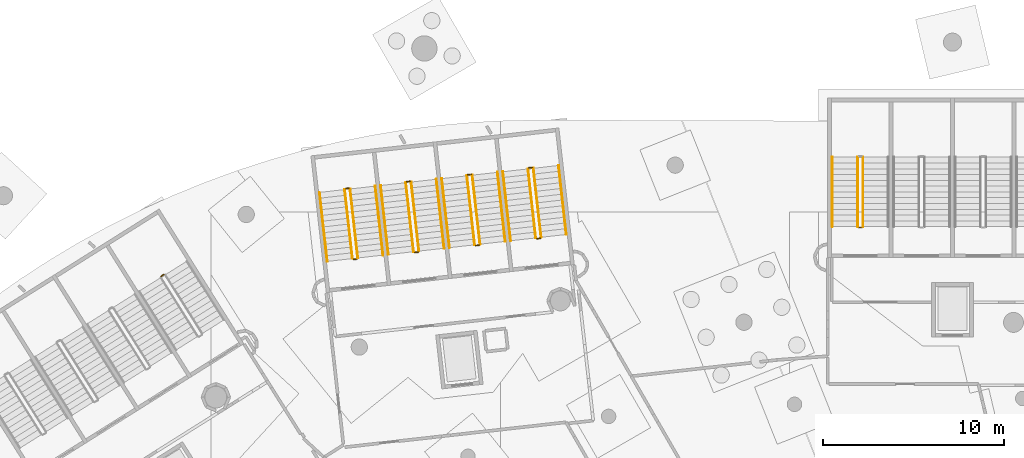
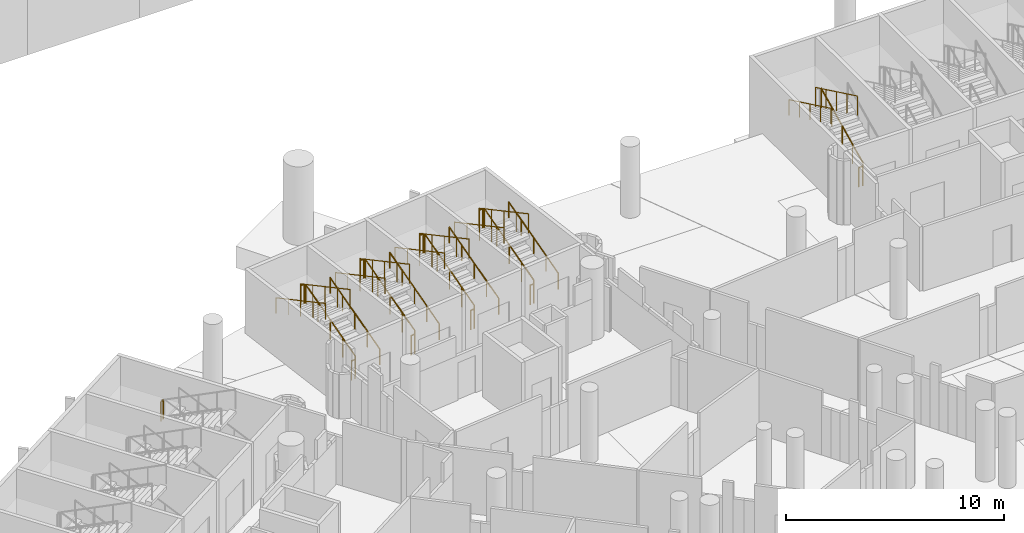
# One storey, part 132 of 142: 29 railings.
"""IFC4 building model written with IfcOpenShell, lengths in metres."""

import ifcopenshell
import ifcopenshell.guid

model = None  # the IFC model being written
_history = None  # IfcOwnerHistory: only IFC2X3 demands one
_inside = {}  # id of a spatial element -> (the spatial element, [elements in it])
_under = {}  # id of a project, library or spatial element -> (it, [spatial elements below it])
_declared = {}  # id of a project -> (the project, [libraries it declares])
_typed = {}  # id of a type object -> (the type object, [elements of that type])
_made_of = {}  # id of a material, layer set ... -> (it, [elements and type objects made of it])


def new_model(schema):
    """Start an empty IFC model of exactly this schema.

    Asked for "IFC4X3", IfcOpenShell would pick the latest addendum, in which some entities
    have other attributes; the version numbers below select the first issue.
    IFC2X3 requires an IfcOwnerHistory on every rooted entity: one is made here for all.
    """
    global model, _history
    if schema == "IFC4X3":
        model = ifcopenshell.file(schema_version=(4, 3, 0, 0))
    else:
        model = ifcopenshell.file(schema=schema)
    _inside.clear()
    _under.clear()
    _declared.clear()
    _typed.clear()
    _made_of.clear()
    _history = None
    if model.schema == "IFC2X3":
        org = make("IfcOrganization", Name="unknown")
        user = make(
            "IfcPersonAndOrganization",
            ThePerson=make("IfcPerson", FamilyName="unknown"),
            TheOrganization=org,
        )
        app = make(
            "IfcApplication",
            ApplicationDeveloper=org,
            Version="unknown",
            ApplicationFullName="unknown",
            ApplicationIdentifier="unknown",
        )
        _history = make(
            "IfcOwnerHistory",
            OwningUser=user,
            OwningApplication=app,
            ChangeAction="ADDED",
            CreationDate=0,
        )
    return model


def make(cls, **values):
    """One entity of the class cls with the attributes given. An attribute that is None is left unset."""
    return model.create_entity(
        cls, **{name: value for name, value in values.items() if value is not None}
    )


def rooted(cls, **values):
    """An entity with a GlobalId (a new one), such as an element, a storey or a relation."""
    return make(cls, GlobalId=ifcopenshell.guid.new(), OwnerHistory=_history, **values)


def si_unit(unit_type, name, prefix=None):
    """IfcSIUnit, for example si_unit("LENGTHUNIT", "METRE", prefix="MILLI")."""
    return make("IfcSIUnit", UnitType=unit_type, Prefix=prefix, Name=name)


def assignment(units):
    """IfcUnitAssignment: the units of a project."""
    return None if units is None else make("IfcUnitAssignment", Units=units)


def point(xyz):
    """IfcCartesianPoint."""
    return None if xyz is None else make("IfcCartesianPoint", Coordinates=xyz)


def direction(xyz):
    """IfcDirection."""
    return None if xyz is None else make("IfcDirection", DirectionRatios=xyz)


def frame(location, z_axis=None, x_axis=None):
    """IfcAxis2Placement3D, a coordinate frame: its origin and axes. An axis left out is left unset."""
    return make(
        "IfcAxis2Placement3D",
        Location=point(location),
        Axis=direction(z_axis),
        RefDirection=direction(x_axis),
    )


def frame_2d(location, x_axis=None):
    """IfcAxis2Placement2D, a coordinate frame in the plane: its origin and x axis."""
    return make(
        "IfcAxis2Placement2D", Location=point(location), RefDirection=direction(x_axis)
    )


def origin():
    """The frame at (0, 0, 0) with its axes left unset."""
    return frame((0.0, 0.0, 0.0))


def origin_2d():
    """The frame at (0, 0) in the plane with its x axis left unset."""
    return frame_2d((0.0, 0.0))


def place(relative_to, where):
    """IfcLocalPlacement: puts the frame where relative to a parent placement (None: the world)."""
    return make(
        "IfcLocalPlacement", PlacementRelTo=relative_to, RelativePlacement=where
    )


def context(
    kind, dimensions, precision=None, world=None, true_north=None, identifier=None
):
    """IfcGeometricRepresentationContext, for example the 3D "Model" context."""
    return make(
        "IfcGeometricRepresentationContext",
        ContextIdentifier=identifier,
        ContextType=kind,
        CoordinateSpaceDimension=dimensions,
        Precision=precision,
        WorldCoordinateSystem=world,
        TrueNorth=true_north,
    )


def subcontext(parent, identifier, kind, view, scale=None):
    """IfcGeometricRepresentationSubContext, for example "Body" below "Model"."""
    return make(
        "IfcGeometricRepresentationSubContext",
        ContextIdentifier=identifier,
        ContextType=kind,
        ParentContext=parent,
        TargetScale=scale,
        TargetView=view,
    )


def project(units=None, contexts=None):
    """IfcProject with its units and contexts."""
    return rooted(
        "IfcProject",
        Name="project",
        RepresentationContexts=contexts,
        UnitsInContext=assignment(units),
    )


def spatial(cls, under=None, at=None, **own):
    """A site, building, storey or space (cls), placed at a placement, below another one or the project."""
    s = rooted(cls, ObjectPlacement=at, **own)
    if under is not None:
        _under.setdefault(under.id(), (under, []))[1].append(s)
    return s


def profile(cls, at=None, kind="AREA", **sizes):
    """A parametric profile (cls). Its sizes go by their IFC names, for example OverallWidth=200.0."""
    return make(cls, ProfileType=kind, Position=at, **sizes)


def circle(**sizes):
    """IfcCircleProfileDef."""
    return profile("IfcCircleProfileDef", **sizes)


def extrude(swept, where, along, depth):
    """IfcExtrudedAreaSolid: the profile swept, set in the frame where, extruded along a direction by depth."""
    return make(
        "IfcExtrudedAreaSolid",
        SweptArea=swept,
        Position=where,
        ExtrudedDirection=direction(along),
        Depth=depth,
    )


def shape(context_of_items, identifier, shape_type, items):
    """IfcShapeRepresentation: the items that make up one representation, for example the "Body"."""
    return make(
        "IfcShapeRepresentation",
        ContextOfItems=context_of_items,
        RepresentationIdentifier=identifier,
        RepresentationType=shape_type,
        Items=items,
    )


def material(Name=None, Category=None):
    """IfcMaterial."""
    return make("IfcMaterial", Name=Name, Category=Category)


def made_of(thing, what):
    """Note that an element or type object is made of a material, layer set ...; save() writes the relation."""
    if what is not None:
        _made_of.setdefault(what.id(), (what, []))[1].append(thing)
    return thing


def type_object(cls, material=None, **own):
    """A type object (cls), such as IfcWallType, which elements share."""
    return made_of(rooted(cls, **own), material)


def element(
    cls,
    number,
    at=None,
    inside=None,
    cuts=None,
    type_object=None,
    material=None,
    context=None,
    identifier="Body",
    shape_type=None,
    held_by="IfcProductDefinitionShape",
    body=None,
    shapes=None,
    **own,
):
    """One element of the class cls, such as IfcWall. Its Tag is "e" and its number.

    at: its placement. inside: the storey or other place that contains it. cuts: it is an
    opening in that element (IfcRelVoidsElement). A single representation is given by context,
    identifier, shape_type and body (its items); several are given by shapes. held_by: the class
    of the entity that holds the representations. save() writes the other relations.
    """
    e = rooted(cls, Tag="e%d" % number, ObjectPlacement=at, **own)
    if body is not None:
        shapes = [shape(context, identifier, shape_type, body)]
    if shapes is not None:
        e.Representation = make(held_by, Representations=shapes)
    if inside is not None:
        _inside.setdefault(inside.id(), (inside, []))[1].append(e)
    if cuts is not None:
        rooted(
            "IfcRelVoidsElement", RelatingBuildingElement=cuts, RelatedOpeningElement=e
        )
    if type_object is not None:
        _typed.setdefault(type_object.id(), (type_object, []))[1].append(e)
    return made_of(e, material)


def aggregate(whole, parts):
    """IfcRelAggregates: a whole, such as a stair, and the parts it consists of."""
    return rooted("IfcRelAggregates", RelatingObject=whole, RelatedObjects=parts)


def save(model, path):
    """Write the relations noted so far, then the file.

    IfcRelAggregates (storeys below a building ...), IfcRelContainedInSpatialStructure (elements
    in a storey), IfcRelDefinesByType, IfcRelAssociatesMaterial and IfcRelDeclares: one each for
    every whole, place, type object, material and project.
    """
    for whole, parts in _under.values():
        aggregate(whole, parts)
    for where, things in _inside.values():
        rooted(
            "IfcRelContainedInSpatialStructure",
            RelatedElements=things,
            RelatingStructure=where,
        )
    for kind, things in _typed.values():
        rooted("IfcRelDefinesByType", RelatedObjects=things, RelatingType=kind)
    for what, things in _made_of.values():
        rooted("IfcRelAssociatesMaterial", RelatedObjects=things, RelatingMaterial=what)
    for by, libraries in _declared.values():
        rooted("IfcRelDeclares", RelatingContext=by, RelatedDefinitions=libraries)
    model.write(path)


model = new_model("IFC4")

# Units and contexts
model_context = context("Model", 3, precision=1e-05, world=origin(), true_north=direction((0.0, 1.0)))
body_context = subcontext(model_context, "Body", "Model", "MODEL_VIEW")
ifc_project = project(units=[si_unit("LENGTHUNIT", "METRE"), si_unit("AREAUNIT", "SQUARE_METRE"), si_unit("VOLUMEUNIT", "CUBIC_METRE"), si_unit("PLANEANGLEUNIT", "RADIAN"), si_unit("MASSUNIT", "GRAM", prefix="KILO")], contexts=[model_context])

# Site, building, storey
site_placement = place(None, origin())
site = spatial("IfcSite", under=ifc_project, at=site_placement, CompositionType="ELEMENT")
building_placement = place(site_placement, origin())
building = spatial("IfcBuilding", under=site, at=building_placement, Name="Meseta Stadium", CompositionType="ELEMENT")
storey_placement = place(building_placement, frame((0.0, 0.0, -4.0)))
storey = spatial("IfcBuildingStorey", under=building, at=storey_placement, Name="B1", CompositionType="ELEMENT", Elevation=-4.0)

# Railings
ifc_material_1 = material(Name="Steel S355", Category="steel")
railing_type_1 = type_object("IfcRailingType", Name="Stair guard 1100", PredefinedType="GUARDRAIL", material=ifc_material_1)
railing_1_placement = place(storey_placement, frame((-27.949951171875, 95.199951171875, 0.15380859375)))
element("IfcRailing", 1, at=railing_1_placement, inside=storey, type_object=railing_type_1, Name="ST44 B1 guard 1", PredefinedType="GUARDRAIL", context=body_context, shape_type="SweptSolid", body=[
    extrude(circle(Radius=0.02392578125, at=origin_2d()), frame((0.0, 0.0, 1.076171875), z_axis=(0.0, 0.901252854825, 0.433293539843), x_axis=(-1.0, 0.0, 0.0)), (0.0, 0.0, 1.0), 4.2607421875),
    extrude(circle(Radius=0.02099609375, at=origin_2d()), origin(), (0.0, 0.0, 1.0), 1.052001953125),
    extrude(circle(Radius=0.02099609375, at=origin_2d()), frame((0.0, 0.9599609375, 0.46142578125)), (0.0, 0.0, 1.0), 1.052001953125),
    extrude(circle(Radius=0.02099609375, at=origin_2d()), frame((0.0, 1.919921875, 0.923095703125)), (0.0, 0.0, 1.0), 1.052001953125),
    extrude(circle(Radius=0.02099609375, at=origin_2d()), frame((0.0, 2.880126953125, 1.384765625)), (0.0, 0.0, 1.0), 1.052001953125),
    extrude(circle(Radius=0.02099609375, at=origin_2d()), frame((0.0, 3.840087890625, 1.84619140625)), (0.0, 0.0, 1.0), 1.052001953125),
])
railing_2_placement = place(storey_placement, frame((-28.25, 99.0400390625, 2.15380859375)))
element("IfcRailing", 2, at=railing_2_placement, inside=storey, type_object=railing_type_1, Name="ST44 B1 guard 3", PredefinedType="GUARDRAIL", context=body_context, shape_type="SweptSolid", body=[
    extrude(circle(Radius=0.02392578125, at=origin_2d()), frame((0.0, 0.0, 1.076171875), z_axis=(0.0, -0.901252854825, 0.433293539843), x_axis=(1.0, 0.0, 0.0)), (0.0, 0.0, 1.0), 4.2607421875),
    extrude(circle(Radius=0.02099609375, at=origin_2d()), origin(), (0.0, 0.0, 1.0), 1.052001953125),
    extrude(circle(Radius=0.02099609375, at=origin_2d()), frame((0.0, -0.9599609375, 0.46142578125)), (0.0, 0.0, 1.0), 1.052001953125),
    extrude(circle(Radius=0.02099609375, at=origin_2d()), frame((0.0, -1.919921875, 0.923095703125)), (0.0, 0.0, 1.0), 1.052001953125),
    extrude(circle(Radius=0.02099609375, at=origin_2d()), frame((0.0, -2.880126953125, 1.384765625)), (0.0, 0.0, 1.0), 1.052001953125),
    extrude(circle(Radius=0.02099609375, at=origin_2d()), frame((0.0, -3.840087890625, 1.84619140625)), (0.0, 0.0, 1.0), 1.052001953125),
])
railing_3_placement = place(storey_placement, frame((-28.0, 95.14990234375, 0.0)))
element("IfcRailing", 3, at=railing_3_placement, inside=storey, type_object=railing_type_1, Name="ST44 B1 guard 4", PredefinedType="GUARDRAIL", context=body_context, shape_type="SweptSolid", body=[
    extrude(circle(Radius=0.02392578125, at=origin_2d()), frame((0.0, 0.0, 1.076171875), z_axis=(-1.0, 0.0, 0.0), x_axis=(0.0, -1.0, 0.0)), (0.0, 0.0, 1.0), 0.199951171875),
    extrude(circle(Radius=0.02099609375, at=origin_2d()), origin(), (0.0, 0.0, 1.0), 1.052001953125),
    extrude(circle(Radius=0.02099609375, at=origin_2d()), frame((-0.199951171875, 0.0, 0.0)), (0.0, 0.0, 1.0), 1.052001953125),
])
railing_4_placement = place(storey_placement, frame((-45.742919921875, 94.609375, 0.15380859375)))
element("IfcRailing", 4, at=railing_4_placement, inside=storey, type_object=railing_type_1, Name="ST45 B1 guard 1", PredefinedType="GUARDRAIL", context=body_context, shape_type="SweptSolid", body=[
    extrude(circle(Radius=0.02392578125, at=origin_2d()), frame((0.0, 0.0, 1.076171875), z_axis=(-0.100965652934, 0.895568779631, 0.433315702321), x_axis=(-0.993704888817, -0.112029433367, 0.0)), (0.0, 0.0, 1.0), 4.260498046875),
    extrude(circle(Radius=0.02099609375, at=origin_2d()), origin(), (0.0, 0.0, 1.0), 1.052001953125),
    extrude(circle(Radius=0.02099609375, at=origin_2d()), frame((-0.107421875, 0.953857421875, 0.46142578125)), (0.0, 0.0, 1.0), 1.052001953125),
    extrude(circle(Radius=0.02099609375, at=origin_2d()), frame((-0.215087890625, 1.90771484375, 0.923095703125)), (0.0, 0.0, 1.0), 1.052001953125),
    extrude(circle(Radius=0.02099609375, at=origin_2d()), frame((-0.32275390625, 2.86181640625, 1.384765625)), (0.0, 0.0, 1.0), 1.052001953125),
    extrude(circle(Radius=0.02099609375, at=origin_2d()), frame((-0.43017578125, 3.815673828125, 1.84619140625)), (0.0, 0.0, 1.0), 1.052001953125),
])
railing_5_placement = place(storey_placement, frame((-46.228271484375, 98.46923828125, 2.0)))
element("IfcRailing", 5, at=railing_5_placement, inside=storey, type_object=railing_type_1, Name="ST45 B1 guard 2", PredefinedType="GUARDRAIL", context=body_context, shape_type="SweptSolid", body=[
    extrude(circle(Radius=0.02392578125, at=origin_2d()), frame((0.0, 0.0, 1.076171875), z_axis=(-0.993673547442, -0.112307083986, 0.0), x_axis=(0.112307083986, -0.993673547442, 0.0)), (0.0, 0.0, 1.0), 0.199951171875),
    extrude(circle(Radius=0.02099609375, at=origin_2d()), origin(), (0.0, 0.0, 1.0), 1.052001953125),
    extrude(circle(Radius=0.02099609375, at=origin_2d()), frame((-0.19873046875, -0.0224609375, 0.0)), (0.0, 0.0, 1.0), 1.052001953125),
])
railing_6_placement = place(storey_placement, frame((-46.47119140625, 98.3916015625, 2.15380859375)))
element("IfcRailing", 6, at=railing_6_placement, inside=storey, type_object=railing_type_1, Name="ST45 B1 guard 3", PredefinedType="GUARDRAIL", context=body_context, shape_type="SweptSolid", body=[
    extrude(circle(Radius=0.02392578125, at=origin_2d()), frame((0.0, 0.0, 1.076171875), z_axis=(0.100903756611, -0.89558530144, 0.433295972456), x_axis=(0.993712761983, 0.111959576062, 0.0)), (0.0, 0.0, 1.0), 4.2607421875),
    extrude(circle(Radius=0.02099609375, at=origin_2d()), origin(), (0.0, 0.0, 1.0), 1.052001953125),
    extrude(circle(Radius=0.02099609375, at=origin_2d()), frame((0.107421875, -0.9541015625, 0.46142578125)), (0.0, 0.0, 1.0), 1.052001953125),
    extrude(circle(Radius=0.02099609375, at=origin_2d()), frame((0.21484375, -1.907958984375, 0.923095703125)), (0.0, 0.0, 1.0), 1.052001953125),
    extrude(circle(Radius=0.02099609375, at=origin_2d()), frame((0.322509765625, -2.86181640625, 1.384765625)), (0.0, 0.0, 1.0), 1.052001953125),
    extrude(circle(Radius=0.02099609375, at=origin_2d()), frame((0.429931640625, -3.81591796875, 1.84619140625)), (0.0, 0.0, 1.0), 1.052001953125),
])
railing_7_placement = place(storey_placement, frame((-45.787109375, 94.553955078125, 0.0)))
element("IfcRailing", 7, at=railing_7_placement, inside=storey, type_object=railing_type_1, Name="ST45 B1 guard 4", PredefinedType="GUARDRAIL", context=body_context, shape_type="SweptSolid", body=[
    extrude(circle(Radius=0.02392578125, at=origin_2d()), frame((0.0, 0.0, 1.076171875), z_axis=(-0.993673547442, -0.112307083986, 0.0), x_axis=(0.112307083986, -0.993673547442, 0.0)), (0.0, 0.0, 1.0), 0.199951171875),
    extrude(circle(Radius=0.02099609375, at=origin_2d()), origin(), (0.0, 0.0, 1.0), 1.052001953125),
    extrude(circle(Radius=0.02099609375, at=origin_2d()), frame((-0.19873046875, -0.0224609375, 0.0)), (0.0, 0.0, 1.0), 1.052001953125),
])
railing_8_placement = place(storey_placement, frame((-49.12158203125, 94.228515625, 0.15380859375)))
element("IfcRailing", 8, at=railing_8_placement, inside=storey, type_object=railing_type_1, Name="ST46 B1 guard 1", PredefinedType="GUARDRAIL", context=body_context, shape_type="SweptSolid", body=[
    extrude(circle(Radius=0.02392578125, at=origin_2d()), frame((0.0, 0.0, 1.076171875), z_axis=(-0.100903756611, 0.89558530144, 0.433295972456), x_axis=(-0.993712761983, -0.111959576062, 0.0)), (0.0, 0.0, 1.0), 4.2607421875),
    extrude(circle(Radius=0.02099609375, at=origin_2d()), origin(), (0.0, 0.0, 1.0), 1.052001953125),
    extrude(circle(Radius=0.02099609375, at=origin_2d()), frame((-0.107421875, 0.9541015625, 0.46142578125)), (0.0, 0.0, 1.0), 1.052001953125),
    extrude(circle(Radius=0.02099609375, at=origin_2d()), frame((-0.21484375, 1.907958984375, 0.923095703125)), (0.0, 0.0, 1.0), 1.052001953125),
    extrude(circle(Radius=0.02099609375, at=origin_2d()), frame((-0.322509765625, 2.86181640625, 1.384765625)), (0.0, 0.0, 1.0), 1.052001953125),
    extrude(circle(Radius=0.02099609375, at=origin_2d()), frame((-0.429931640625, 3.81591796875, 1.84619140625)), (0.0, 0.0, 1.0), 1.052001953125),
])
railing_9_placement = place(storey_placement, frame((-49.60693359375, 98.088623046875, 2.0)))
element("IfcRailing", 9, at=railing_9_placement, inside=storey, type_object=railing_type_1, Name="ST46 B1 guard 2", PredefinedType="GUARDRAIL", context=body_context, shape_type="SweptSolid", body=[
    extrude(circle(Radius=0.02392578125, at=origin_2d()), frame((0.0, 0.0, 1.076171875), z_axis=(-0.993673547442, -0.112307083986, 0.0), x_axis=(0.112307083986, -0.993673547442, 0.0)), (0.0, 0.0, 1.0), 0.199951171875),
    extrude(circle(Radius=0.02099609375, at=origin_2d()), origin(), (0.0, 0.0, 1.0), 1.052001953125),
    extrude(circle(Radius=0.02099609375, at=origin_2d()), frame((-0.19873046875, -0.0224609375, 0.0)), (0.0, 0.0, 1.0), 1.052001953125),
])
railing_10_placement = place(storey_placement, frame((-49.849609375, 98.0107421875, 2.15380859375)))
element("IfcRailing", 10, at=railing_10_placement, inside=storey, type_object=railing_type_1, Name="ST46 B1 guard 3", PredefinedType="GUARDRAIL", context=body_context, shape_type="SweptSolid", body=[
    extrude(circle(Radius=0.02392578125, at=origin_2d()), frame((0.0, 0.0, 1.076171875), z_axis=(0.100908934847, -0.895573959525, 0.433318208582), x_axis=(0.99371196497, 0.111966649838, 0.0)), (0.0, 0.0, 1.0), 4.260498046875),
    extrude(circle(Radius=0.02099609375, at=origin_2d()), origin(), (0.0, 0.0, 1.0), 1.052001953125),
    extrude(circle(Radius=0.02099609375, at=origin_2d()), frame((0.107421875, -0.953857421875, 0.46142578125)), (0.0, 0.0, 1.0), 1.052001953125),
    extrude(circle(Radius=0.02099609375, at=origin_2d()), frame((0.21484375, -1.90771484375, 0.923095703125)), (0.0, 0.0, 1.0), 1.052001953125),
    extrude(circle(Radius=0.02099609375, at=origin_2d()), frame((0.322509765625, -2.86181640625, 1.384765625)), (0.0, 0.0, 1.0), 1.052001953125),
    extrude(circle(Radius=0.02099609375, at=origin_2d()), frame((0.429931640625, -3.815673828125, 1.84619140625)), (0.0, 0.0, 1.0), 1.052001953125),
])
railing_11_placement = place(storey_placement, frame((-49.165771484375, 94.17333984375, 0.0)))
element("IfcRailing", 11, at=railing_11_placement, inside=storey, type_object=railing_type_1, Name="ST46 B1 guard 4", PredefinedType="GUARDRAIL", context=body_context, shape_type="SweptSolid", body=[
    extrude(circle(Radius=0.02392578125, at=origin_2d()), frame((0.0, 0.0, 1.076171875), z_axis=(-0.993673547442, -0.112307083986, 0.0), x_axis=(0.112307083986, -0.993673547442, 0.0)), (0.0, 0.0, 1.0), 0.199951171875),
    extrude(circle(Radius=0.02099609375, at=origin_2d()), origin(), (0.0, 0.0, 1.0), 1.052001953125),
    extrude(circle(Radius=0.02099609375, at=origin_2d()), frame((-0.19873046875, -0.0224609375, 0.0)), (0.0, 0.0, 1.0), 1.052001953125),
])
railing_12_placement = place(storey_placement, frame((-52.500244140625, 93.847900390625, 0.15380859375)))
element("IfcRailing", 12, at=railing_12_placement, inside=storey, type_object=railing_type_1, Name="ST47 B1 guard 1", PredefinedType="GUARDRAIL", context=body_context, shape_type="SweptSolid", body=[
    extrude(circle(Radius=0.02392578125, at=origin_2d()), frame((0.0, 0.0, 1.076171875), z_axis=(-0.100903756611, 0.89558530144, 0.433295972456), x_axis=(-0.993712761983, -0.111959576062, 0.0)), (0.0, 0.0, 1.0), 4.2607421875),
    extrude(circle(Radius=0.02099609375, at=origin_2d()), origin(), (0.0, 0.0, 1.0), 1.052001953125),
    extrude(circle(Radius=0.02099609375, at=origin_2d()), frame((-0.107421875, 0.9541015625, 0.46142578125)), (0.0, 0.0, 1.0), 1.052001953125),
    extrude(circle(Radius=0.02099609375, at=origin_2d()), frame((-0.21484375, 1.907958984375, 0.923095703125)), (0.0, 0.0, 1.0), 1.052001953125),
    extrude(circle(Radius=0.02099609375, at=origin_2d()), frame((-0.322509765625, 2.86181640625, 1.384765625)), (0.0, 0.0, 1.0), 1.052001953125),
    extrude(circle(Radius=0.02099609375, at=origin_2d()), frame((-0.429931640625, 3.81591796875, 1.84619140625)), (0.0, 0.0, 1.0), 1.052001953125),
])
railing_13_placement = place(storey_placement, frame((-52.985595703125, 97.707763671875, 2.0)))
element("IfcRailing", 13, at=railing_13_placement, inside=storey, type_object=railing_type_1, Name="ST47 B1 guard 2", PredefinedType="GUARDRAIL", context=body_context, shape_type="SweptSolid", body=[
    extrude(circle(Radius=0.02392578125, at=origin_2d()), frame((0.0, 0.0, 1.076171875), z_axis=(-0.993809063983, -0.111101504696, 0.0), x_axis=(0.111101504696, -0.993809063983, 0.0)), (0.0, 0.0, 1.0), 0.199951171875),
    extrude(circle(Radius=0.02099609375, at=origin_2d()), origin(), (0.0, 0.0, 1.0), 1.052001953125),
    extrude(circle(Radius=0.02099609375, at=origin_2d()), frame((-0.19873046875, -0.022216796875, 0.0)), (0.0, 0.0, 1.0), 1.052001953125),
])
railing_14_placement = place(storey_placement, frame((-53.228271484375, 97.630126953125, 2.15380859375)))
element("IfcRailing", 14, at=railing_14_placement, inside=storey, type_object=railing_type_1, Name="ST47 B1 guard 3", PredefinedType="GUARDRAIL", context=body_context, shape_type="SweptSolid", body=[
    extrude(circle(Radius=0.02392578125, at=origin_2d()), frame((0.0, 0.0, 1.076171875), z_axis=(0.100903756611, -0.89558530144, 0.433295972456), x_axis=(0.993712761983, 0.111959576062, 0.0)), (0.0, 0.0, 1.0), 4.2607421875),
    extrude(circle(Radius=0.02099609375, at=origin_2d()), origin(), (0.0, 0.0, 1.0), 1.052001953125),
    extrude(circle(Radius=0.02099609375, at=origin_2d()), frame((0.107421875, -0.9541015625, 0.46142578125)), (0.0, 0.0, 1.0), 1.052001953125),
    extrude(circle(Radius=0.02099609375, at=origin_2d()), frame((0.21484375, -1.907958984375, 0.923095703125)), (0.0, 0.0, 1.0), 1.052001953125),
    extrude(circle(Radius=0.02099609375, at=origin_2d()), frame((0.322509765625, -2.86181640625, 1.384765625)), (0.0, 0.0, 1.0), 1.052001953125),
    extrude(circle(Radius=0.02099609375, at=origin_2d()), frame((0.429931640625, -3.81591796875, 1.84619140625)), (0.0, 0.0, 1.0), 1.052001953125),
])
railing_15_placement = place(storey_placement, frame((-52.54443359375, 93.792724609375, 0.0)))
element("IfcRailing", 15, at=railing_15_placement, inside=storey, type_object=railing_type_1, Name="ST47 B1 guard 4", PredefinedType="GUARDRAIL", context=body_context, shape_type="SweptSolid", body=[
    extrude(circle(Radius=0.02392578125, at=origin_2d()), frame((0.0, 0.0, 1.076171875), z_axis=(-0.993673547442, -0.112307083986, 0.0), x_axis=(0.112307083986, -0.993673547442, 0.0)), (0.0, 0.0, 1.0), 0.199951171875),
    extrude(circle(Radius=0.02099609375, at=origin_2d()), origin(), (0.0, 0.0, 1.0), 1.052001953125),
    extrude(circle(Radius=0.02099609375, at=origin_2d()), frame((-0.19873046875, -0.0224609375, 0.0)), (0.0, 0.0, 1.0), 1.052001953125),
])
railing_16_placement = place(storey_placement, frame((-55.87890625, 93.46728515625, 0.15380859375)))
element("IfcRailing", 16, at=railing_16_placement, inside=storey, type_object=railing_type_1, Name="ST48 B1 guard 1", PredefinedType="GUARDRAIL", context=body_context, shape_type="SweptSolid", body=[
    extrude(circle(Radius=0.02392578125, at=origin_2d()), frame((0.0, 0.0, 1.076171875), z_axis=(-0.100903756611, 0.89558530144, 0.433295972456), x_axis=(-0.993712761983, -0.111959576062, 0.0)), (0.0, 0.0, 1.0), 4.2607421875),
    extrude(circle(Radius=0.02099609375, at=origin_2d()), origin(), (0.0, 0.0, 1.0), 1.052001953125),
    extrude(circle(Radius=0.02099609375, at=origin_2d()), frame((-0.107421875, 0.9541015625, 0.46142578125)), (0.0, 0.0, 1.0), 1.052001953125),
    extrude(circle(Radius=0.02099609375, at=origin_2d()), frame((-0.21484375, 1.907958984375, 0.923095703125)), (0.0, 0.0, 1.0), 1.052001953125),
    extrude(circle(Radius=0.02099609375, at=origin_2d()), frame((-0.322509765625, 2.86181640625, 1.384765625)), (0.0, 0.0, 1.0), 1.052001953125),
    extrude(circle(Radius=0.02099609375, at=origin_2d()), frame((-0.429931640625, 3.81591796875, 1.84619140625)), (0.0, 0.0, 1.0), 1.052001953125),
])
railing_17_placement = place(storey_placement, frame((-56.364013671875, 97.3271484375, 2.0)))
element("IfcRailing", 17, at=railing_17_placement, inside=storey, type_object=railing_type_1, Name="ST48 B1 guard 2", PredefinedType="GUARDRAIL", context=body_context, shape_type="SweptSolid", body=[
    extrude(circle(Radius=0.02392578125, at=origin_2d()), frame((0.0, 0.0, 1.076171875), z_axis=(-0.993688916384, -0.112171018782, 0.0), x_axis=(0.112171018782, -0.993688916384, 0.0)), (0.0, 0.0, 1.0), 0.2001953125),
    extrude(circle(Radius=0.02099609375, at=origin_2d()), origin(), (0.0, 0.0, 1.0), 1.052001953125),
    extrude(circle(Radius=0.02099609375, at=origin_2d()), frame((-0.198974609375, -0.0224609375, 0.0)), (0.0, 0.0, 1.0), 1.052001953125),
])
railing_18_placement = place(storey_placement, frame((-56.60693359375, 97.24951171875, 2.15380859375)))
element("IfcRailing", 18, at=railing_18_placement, inside=storey, type_object=railing_type_1, Name="ST48 B1 guard 3", PredefinedType="GUARDRAIL", context=body_context, shape_type="SweptSolid", body=[
    extrude(circle(Radius=0.02392578125, at=origin_2d()), frame((0.0, 0.0, 1.076171875), z_axis=(0.100903756611, -0.89558530144, 0.433295972456), x_axis=(0.993712761983, 0.111959576062, 0.0)), (0.0, 0.0, 1.0), 4.2607421875),
    extrude(circle(Radius=0.02099609375, at=origin_2d()), origin(), (0.0, 0.0, 1.0), 1.052001953125),
    extrude(circle(Radius=0.02099609375, at=origin_2d()), frame((0.107421875, -0.9541015625, 0.46142578125)), (0.0, 0.0, 1.0), 1.052001953125),
    extrude(circle(Radius=0.02099609375, at=origin_2d()), frame((0.21484375, -1.907958984375, 0.923095703125)), (0.0, 0.0, 1.0), 1.052001953125),
    extrude(circle(Radius=0.02099609375, at=origin_2d()), frame((0.322509765625, -2.86181640625, 1.384765625)), (0.0, 0.0, 1.0), 1.052001953125),
    extrude(circle(Radius=0.02099609375, at=origin_2d()), frame((0.429931640625, -3.81591796875, 1.84619140625)), (0.0, 0.0, 1.0), 1.052001953125),
])
railing_19_placement = place(storey_placement, frame((-55.923095703125, 93.411865234375, 0.0)))
element("IfcRailing", 19, at=railing_19_placement, inside=storey, type_object=railing_type_1, Name="ST48 B1 guard 4", PredefinedType="GUARDRAIL", context=body_context, shape_type="SweptSolid", body=[
    extrude(circle(Radius=0.02392578125, at=origin_2d()), frame((0.0, 0.0, 1.076171875), z_axis=(-0.993809063983, -0.111101504696, 0.0), x_axis=(0.111101504696, -0.993809063983, 0.0)), (0.0, 0.0, 1.0), 0.199951171875),
    extrude(circle(Radius=0.02099609375, at=origin_2d()), origin(), (0.0, 0.0, 1.0), 1.052001953125),
    extrude(circle(Radius=0.02099609375, at=origin_2d()), frame((-0.19873046875, -0.022216796875, 0.0)), (0.0, 0.0, 1.0), 1.052001953125),
])
railing_20_placement = place(storey_placement, frame((-66.59716796875, 92.55419921875, 2.0)))
element("IfcRailing", 20, at=railing_20_placement, inside=storey, type_object=railing_type_1, Name="ST49 B1 guard 2", PredefinedType="GUARDRAIL", context=body_context, shape_type="SweptSolid", body=[
    extrude(circle(Radius=0.02392578125, at=origin_2d()), frame((0.0, 0.0, 1.076171875), z_axis=(-0.846762178531, -0.531971628011, 0.0), x_axis=(0.531971628011, -0.846762178531, 0.0)), (0.0, 0.0, 1.0), 0.2001953125),
    extrude(circle(Radius=0.02099609375, at=origin_2d()), origin(), (0.0, 0.0, 1.0), 1.052001953125),
    extrude(circle(Radius=0.02099609375, at=origin_2d()), frame((-0.16943359375, -0.1064453125, 0.0)), (0.0, 0.0, 1.0), 1.052001953125),
])
ifc_material_2 = material(Name="Steel S355", Category="steel")
railing_type_2 = type_object("IfcRailingType", Name="Stair handrail 900", PredefinedType="HANDRAIL", material=ifc_material_2)
railing_21_placement = place(storey_placement, frame((-29.64990234375, 99.0400390625, 2.15380859375)))
element("IfcRailing", 21, at=railing_21_placement, inside=storey, type_object=railing_type_2, Name="ST44 B1 handrail 2", PredefinedType="HANDRAIL", context=body_context, shape_type="SweptSolid", body=[
    extrude(circle(Radius=0.02392578125, at=origin_2d()), frame((0.0, 0.0, 0.8759765625), z_axis=(0.0, -0.901252854825, 0.433293539843), x_axis=(1.0, 0.0, 0.0)), (0.0, 0.0, 1.0), 4.2607421875),
    extrude(circle(Radius=0.02099609375, at=origin_2d()), origin(), (0.0, 0.0, 1.0), 0.851806640625),
    extrude(circle(Radius=0.02099609375, at=origin_2d()), frame((0.0, -0.9599609375, 0.46142578125)), (0.0, 0.0, 1.0), 0.851806640625),
    extrude(circle(Radius=0.02099609375, at=origin_2d()), frame((0.0, -1.919921875, 0.923095703125)), (0.0, 0.0, 1.0), 0.851806640625),
    extrude(circle(Radius=0.02099609375, at=origin_2d()), frame((0.0, -2.880126953125, 1.384765625)), (0.0, 0.0, 1.0), 0.851806640625),
    extrude(circle(Radius=0.02099609375, at=origin_2d()), frame((0.0, -3.840087890625, 1.84619140625)), (0.0, 0.0, 1.0), 0.851806640625),
])
railing_22_placement = place(storey_placement, frame((-44.351806640625, 94.76611328125, 0.15380859375)))
element("IfcRailing", 22, at=railing_22_placement, inside=storey, type_object=railing_type_2, Name="ST45 B1 handrail 1", PredefinedType="HANDRAIL", context=body_context, shape_type="SweptSolid", body=[
    extrude(circle(Radius=0.02392578125, at=origin_2d()), frame((0.0, 0.0, 0.8759765625), z_axis=(-0.100908934847, 0.895573959525, 0.433318208582), x_axis=(-0.99371196497, -0.111966649838, 0.0)), (0.0, 0.0, 1.0), 4.260498046875),
    extrude(circle(Radius=0.02099609375, at=origin_2d()), origin(), (0.0, 0.0, 1.0), 0.851806640625),
    extrude(circle(Radius=0.02099609375, at=origin_2d()), frame((-0.107421875, 0.953857421875, 0.46142578125)), (0.0, 0.0, 1.0), 0.851806640625),
    extrude(circle(Radius=0.02099609375, at=origin_2d()), frame((-0.21484375, 1.90771484375, 0.923095703125)), (0.0, 0.0, 1.0), 0.851806640625),
    extrude(circle(Radius=0.02099609375, at=origin_2d()), frame((-0.322509765625, 2.86181640625, 1.384765625)), (0.0, 0.0, 1.0), 0.851806640625),
    extrude(circle(Radius=0.02099609375, at=origin_2d()), frame((-0.429931640625, 3.815673828125, 1.84619140625)), (0.0, 0.0, 1.0), 0.851806640625),
])
railing_23_placement = place(storey_placement, frame((-47.8623046875, 98.23486328125, 2.15380859375)))
element("IfcRailing", 23, at=railing_23_placement, inside=storey, type_object=railing_type_2, Name="ST45 B1 handrail 2", PredefinedType="HANDRAIL", context=body_context, shape_type="SweptSolid", body=[
    extrude(circle(Radius=0.02392578125, at=origin_2d()), frame((0.0, 0.0, 0.8759765625), z_axis=(0.100903756611, -0.89558530144, 0.433295972456), x_axis=(0.993712761983, 0.111959576062, 0.0)), (0.0, 0.0, 1.0), 4.2607421875),
    extrude(circle(Radius=0.02099609375, at=origin_2d()), origin(), (0.0, 0.0, 1.0), 0.851806640625),
    extrude(circle(Radius=0.02099609375, at=origin_2d()), frame((0.107421875, -0.9541015625, 0.46142578125)), (0.0, 0.0, 1.0), 0.851806640625),
    extrude(circle(Radius=0.02099609375, at=origin_2d()), frame((0.21484375, -1.907958984375, 0.923095703125)), (0.0, 0.0, 1.0), 0.851806640625),
    extrude(circle(Radius=0.02099609375, at=origin_2d()), frame((0.322509765625, -2.86181640625, 1.384765625)), (0.0, 0.0, 1.0), 0.851806640625),
    extrude(circle(Radius=0.02099609375, at=origin_2d()), frame((0.429931640625, -3.81591796875, 1.84619140625)), (0.0, 0.0, 1.0), 0.851806640625),
])
railing_24_placement = place(storey_placement, frame((-47.73046875, 94.38525390625, 0.15380859375)))
element("IfcRailing", 24, at=railing_24_placement, inside=storey, type_object=railing_type_2, Name="ST46 B1 handrail 1", PredefinedType="HANDRAIL", context=body_context, shape_type="SweptSolid", body=[
    extrude(circle(Radius=0.02392578125, at=origin_2d()), frame((0.0, 0.0, 0.8759765625), z_axis=(-0.100903756611, 0.89558530144, 0.433295972456), x_axis=(-0.993712761983, -0.111959576062, 0.0)), (0.0, 0.0, 1.0), 4.2607421875),
    extrude(circle(Radius=0.02099609375, at=origin_2d()), origin(), (0.0, 0.0, 1.0), 0.851806640625),
    extrude(circle(Radius=0.02099609375, at=origin_2d()), frame((-0.107421875, 0.9541015625, 0.46142578125)), (0.0, 0.0, 1.0), 0.851806640625),
    extrude(circle(Radius=0.02099609375, at=origin_2d()), frame((-0.21484375, 1.907958984375, 0.923095703125)), (0.0, 0.0, 1.0), 0.851806640625),
    extrude(circle(Radius=0.02099609375, at=origin_2d()), frame((-0.322509765625, 2.86181640625, 1.384765625)), (0.0, 0.0, 1.0), 0.851806640625),
    extrude(circle(Radius=0.02099609375, at=origin_2d()), frame((-0.429931640625, 3.81591796875, 1.84619140625)), (0.0, 0.0, 1.0), 0.851806640625),
])
railing_25_placement = place(storey_placement, frame((-51.240966796875, 97.85400390625, 2.15380859375)))
element("IfcRailing", 25, at=railing_25_placement, inside=storey, type_object=railing_type_2, Name="ST46 B1 handrail 2", PredefinedType="HANDRAIL", context=body_context, shape_type="SweptSolid", body=[
    extrude(circle(Radius=0.02392578125, at=origin_2d()), frame((0.0, 0.0, 0.8759765625), z_axis=(0.100908934847, -0.895573959525, 0.433318208582), x_axis=(0.99371196497, 0.111966649838, 0.0)), (0.0, 0.0, 1.0), 4.260498046875),
    extrude(circle(Radius=0.02099609375, at=origin_2d()), origin(), (0.0, 0.0, 1.0), 0.851806640625),
    extrude(circle(Radius=0.02099609375, at=origin_2d()), frame((0.107421875, -0.953857421875, 0.46142578125)), (0.0, 0.0, 1.0), 0.851806640625),
    extrude(circle(Radius=0.02099609375, at=origin_2d()), frame((0.21484375, -1.90771484375, 0.923095703125)), (0.0, 0.0, 1.0), 0.851806640625),
    extrude(circle(Radius=0.02099609375, at=origin_2d()), frame((0.322509765625, -2.86181640625, 1.384765625)), (0.0, 0.0, 1.0), 0.851806640625),
    extrude(circle(Radius=0.02099609375, at=origin_2d()), frame((0.429931640625, -3.815673828125, 1.84619140625)), (0.0, 0.0, 1.0), 0.851806640625),
])
railing_26_placement = place(storey_placement, frame((-51.109130859375, 94.004638671875, 0.15380859375)))
element("IfcRailing", 26, at=railing_26_placement, inside=storey, type_object=railing_type_2, Name="ST47 B1 handrail 1", PredefinedType="HANDRAIL", context=body_context, shape_type="SweptSolid", body=[
    extrude(circle(Radius=0.02392578125, at=origin_2d()), frame((0.0, 0.0, 0.8759765625), z_axis=(-0.100903756611, 0.89558530144, 0.433295972456), x_axis=(-0.993712761983, -0.111959576062, 0.0)), (0.0, 0.0, 1.0), 4.2607421875),
    extrude(circle(Radius=0.02099609375, at=origin_2d()), origin(), (0.0, 0.0, 1.0), 0.851806640625),
    extrude(circle(Radius=0.02099609375, at=origin_2d()), frame((-0.107421875, 0.9541015625, 0.46142578125)), (0.0, 0.0, 1.0), 0.851806640625),
    extrude(circle(Radius=0.02099609375, at=origin_2d()), frame((-0.21484375, 1.907958984375, 0.923095703125)), (0.0, 0.0, 1.0), 0.851806640625),
    extrude(circle(Radius=0.02099609375, at=origin_2d()), frame((-0.322509765625, 2.86181640625, 1.384765625)), (0.0, 0.0, 1.0), 0.851806640625),
    extrude(circle(Radius=0.02099609375, at=origin_2d()), frame((-0.429931640625, 3.81591796875, 1.84619140625)), (0.0, 0.0, 1.0), 0.851806640625),
])
railing_27_placement = place(storey_placement, frame((-54.61962890625, 97.473388671875, 2.15380859375)))
element("IfcRailing", 27, at=railing_27_placement, inside=storey, type_object=railing_type_2, Name="ST47 B1 handrail 2", PredefinedType="HANDRAIL", context=body_context, shape_type="SweptSolid", body=[
    extrude(circle(Radius=0.02392578125, at=origin_2d()), frame((0.0, 0.0, 0.8759765625), z_axis=(0.100903756611, -0.89558530144, 0.433295972456), x_axis=(0.993712761983, 0.111959576062, 0.0)), (0.0, 0.0, 1.0), 4.2607421875),
    extrude(circle(Radius=0.02099609375, at=origin_2d()), origin(), (0.0, 0.0, 1.0), 0.851806640625),
    extrude(circle(Radius=0.02099609375, at=origin_2d()), frame((0.107421875, -0.9541015625, 0.46142578125)), (0.0, 0.0, 1.0), 0.851806640625),
    extrude(circle(Radius=0.02099609375, at=origin_2d()), frame((0.21484375, -1.907958984375, 0.923095703125)), (0.0, 0.0, 1.0), 0.851806640625),
    extrude(circle(Radius=0.02099609375, at=origin_2d()), frame((0.322509765625, -2.86181640625, 1.384765625)), (0.0, 0.0, 1.0), 0.851806640625),
    extrude(circle(Radius=0.02099609375, at=origin_2d()), frame((0.429931640625, -3.81591796875, 1.84619140625)), (0.0, 0.0, 1.0), 0.851806640625),
])
railing_28_placement = place(storey_placement, frame((-54.48779296875, 93.6240234375, 0.15380859375)))
element("IfcRailing", 28, at=railing_28_placement, inside=storey, type_object=railing_type_2, Name="ST48 B1 handrail 1", PredefinedType="HANDRAIL", context=body_context, shape_type="SweptSolid", body=[
    extrude(circle(Radius=0.02392578125, at=origin_2d()), frame((0.0, 0.0, 0.8759765625), z_axis=(-0.100903756611, 0.89558530144, 0.433295972456), x_axis=(-0.993712761983, -0.111959576062, 0.0)), (0.0, 0.0, 1.0), 4.2607421875),
    extrude(circle(Radius=0.02099609375, at=origin_2d()), origin(), (0.0, 0.0, 1.0), 0.851806640625),
    extrude(circle(Radius=0.02099609375, at=origin_2d()), frame((-0.107421875, 0.9541015625, 0.46142578125)), (0.0, 0.0, 1.0), 0.851806640625),
    extrude(circle(Radius=0.02099609375, at=origin_2d()), frame((-0.21484375, 1.907958984375, 0.923095703125)), (0.0, 0.0, 1.0), 0.851806640625),
    extrude(circle(Radius=0.02099609375, at=origin_2d()), frame((-0.322509765625, 2.86181640625, 1.384765625)), (0.0, 0.0, 1.0), 0.851806640625),
    extrude(circle(Radius=0.02099609375, at=origin_2d()), frame((-0.429931640625, 3.81591796875, 1.84619140625)), (0.0, 0.0, 1.0), 0.851806640625),
])
railing_29_placement = place(storey_placement, frame((-57.998046875, 97.0927734375, 2.15380859375)))
element("IfcRailing", 29, at=railing_29_placement, inside=storey, type_object=railing_type_2, Name="ST48 B1 handrail 2", PredefinedType="HANDRAIL", context=body_context, shape_type="SweptSolid", body=[
    extrude(circle(Radius=0.02392578125, at=origin_2d()), frame((0.0, 0.0, 0.8759765625), z_axis=(0.100903756611, -0.89558530144, 0.433295972456), x_axis=(0.993712761983, 0.111959576062, 0.0)), (0.0, 0.0, 1.0), 4.2607421875),
    extrude(circle(Radius=0.02099609375, at=origin_2d()), origin(), (0.0, 0.0, 1.0), 0.851806640625),
    extrude(circle(Radius=0.02099609375, at=origin_2d()), frame((0.107421875, -0.9541015625, 0.46142578125)), (0.0, 0.0, 1.0), 0.851806640625),
    extrude(circle(Radius=0.02099609375, at=origin_2d()), frame((0.21484375, -1.907958984375, 0.923095703125)), (0.0, 0.0, 1.0), 0.851806640625),
    extrude(circle(Radius=0.02099609375, at=origin_2d()), frame((0.322509765625, -2.86181640625, 1.384765625)), (0.0, 0.0, 1.0), 0.851806640625),
    extrude(circle(Radius=0.02099609375, at=origin_2d()), frame((0.429931640625, -3.81591796875, 1.84619140625)), (0.0, 0.0, 1.0), 0.851806640625),
])

save(model, "model.ifc")
